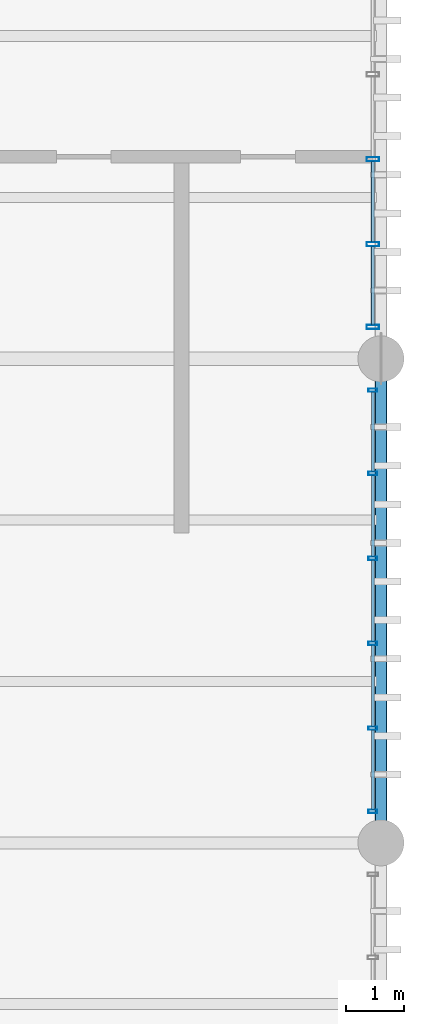
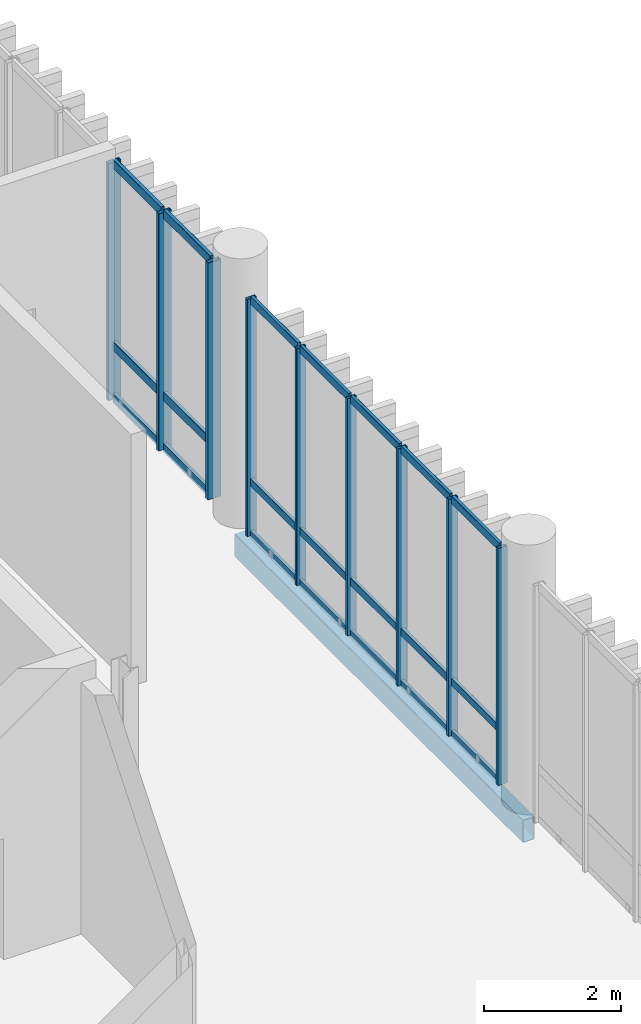
# One storey, part 61 of 94: 30 members, 1 beam, 2 elements without a shape of their own.
"""IFC4 building model written with IfcOpenShell, lengths in metres."""

from ifc_helpers import new_model, si_unit, direction, frame, origin_with_axes, origin_2d_with_axis, place, context, subcontext, project, spatial, hollow_rectangle, extrude, material, material_profile, profile_set, type_object, element, aggregate, save


model = new_model("IFC4")

# Units and contexts
model_context = context("Model", 3, precision=1e-05, world=origin_with_axes(), true_north=direction((0.0, 1.0)))
body_context = subcontext(model_context, "Body", "Model", "MODEL_VIEW")
ifc_project = project(units=[si_unit("LENGTHUNIT", "METRE"), si_unit("AREAUNIT", "SQUARE_METRE"), si_unit("VOLUMEUNIT", "CUBIC_METRE"), si_unit("PLANEANGLEUNIT", "RADIAN"), si_unit("MASSUNIT", "GRAM", prefix="KILO"), si_unit("THERMODYNAMICTEMPERATUREUNIT", "KELVIN")], contexts=[model_context])

# Site, building, storey
site_placement = place(None, origin_with_axes())
site = spatial("IfcSite", under=ifc_project, at=site_placement, CompositionType="ELEMENT")
building_placement = place(site_placement, origin_with_axes())
building = spatial("IfcBuilding", under=site, at=building_placement, Name="Montbau Bow Law Courts", CompositionType="ELEMENT")
storey_placement = place(building_placement, frame((0.0, 0.0, 15.6), z_axis=(0.0, 0.0, 1.0), x_axis=(1.0, 0.0, 0.0)))
storey = spatial("IfcBuildingStorey", under=building, at=storey_placement, Name="L03", CompositionType="ELEMENT", Elevation=15.6)

# Beam
ifc_material_1 = material(Name="Steel CSA G40.21 Grade 350WT (350 MPa)", Category="steel")
ifc_material_profile_1 = material_profile(ifc_material_1, hollow_rectangle(XDim=0.203, YDim=0.406, WallThickness=0.0127, InnerFilletRadius=0.0254, OuterFilletRadius=0.0127, at=origin_2d_with_axis()), Name="HSS406X203X13", Category="Main", Priority=0)
ifc_profile_set_1 = profile_set([ifc_material_profile_1], Name="Steel CSA G40.21 Grade 350WT (350 MPa)")
beam_type = type_object("IfcBeamType", Name="B-SPN-01", PredefinedType="SPANDREL", material=ifc_profile_set_1)
beam_placement = place(None, frame((169.4, 86.4, 15.057), z_axis=(0.0, 1.0, 0.0), x_axis=(-1.0, 0.0, 0.0)))
element("IfcBeam", 1, at=beam_placement, inside=storey, type_object=beam_type, Name="SPN-L03-S1243:bm2_1246", PredefinedType="SPANDREL", context=body_context, shape_type="SweptSolid", body=[
    extrude(hollow_rectangle(XDim=0.203, YDim=0.406, WallThickness=0.0127, InnerFilletRadius=0.0254, OuterFilletRadius=0.0127, at=origin_2d_with_axis()), origin_with_axes(), (0.0, 0.0, 1.0), 8.4),
])

# Curtain wall, members
ifc_material_2 = material(Name="Thermally Broken Extruded Aluminium AA 6063-T6", Category="aluminium")
curtain_wall_type = type_object("IfcCurtainWallType", Name="CW-SLT-01", PredefinedType="NOTDEFINED", material=ifc_material_2)
curtain_wall_1_placement = place(None, frame((169.26, 95.315, 15.6), z_axis=(0.0, 0.0, 1.0), x_axis=(1.0, 0.0, 0.0)))
curtain_wall_1 = element("IfcCurtainWall", 2, at=curtain_wall_1_placement, inside=storey, type_object=curtain_wall_type, Name="CW-L03-324:cw_0324", PredefinedType="NOTDEFINED")
ifc_material_profile_2 = material_profile(ifc_material_2, hollow_rectangle(XDim=0.075, YDim=0.22, WallThickness=0.005, InnerFilletRadius=0.01, OuterFilletRadius=0.005, at=origin_2d_with_axis()), Name="CWM-220X75", Category="Main", Priority=0)
ifc_profile_set_2 = profile_set([ifc_material_profile_2], Name="Thermally Broken Extruded Aluminium AA 6063-T6")
member_type_1 = type_object("IfcMemberType", Name="M-MUL-01", PredefinedType="MULLION", material=ifc_profile_set_2)
member_1_placement = place(None, frame((169.26, 95.352, 15.6), z_axis=(0.0, 0.0, 1.0), x_axis=(0.0, 1.0, 0.0)))
member_1 = element("IfcMember", 3, at=member_1_placement, type_object=member_type_1, Name="CW-L03-324-M01:cw_0324_M01", PredefinedType="MULLION", context=body_context, shape_type="SweptSolid", body=[
    extrude(hollow_rectangle(XDim=0.075, YDim=0.22, WallThickness=0.005, InnerFilletRadius=0.01, OuterFilletRadius=0.005, at=origin_2d_with_axis()), origin_with_axes(), (0.0, 0.0, 1.0), 4.22),
])
member_2_placement = place(None, frame((169.26, 96.789, 15.6), z_axis=(0.0, 0.0, 1.0), x_axis=(0.0, 1.0, 0.0)))
member_2 = element("IfcMember", 4, at=member_2_placement, type_object=member_type_1, Name="CW-L03-324-M02:cw_0324_M02", PredefinedType="MULLION", context=body_context, shape_type="SweptSolid", body=[
    extrude(hollow_rectangle(XDim=0.075, YDim=0.22, WallThickness=0.005, InnerFilletRadius=0.01, OuterFilletRadius=0.005, at=origin_2d_with_axis()), origin_with_axes(), (0.0, 0.0, 1.0), 4.22),
])
member_3_placement = place(None, frame((169.26, 98.263, 15.6), z_axis=(0.0, 0.0, 1.0), x_axis=(0.0, 1.0, 0.0)))
member_3 = element("IfcMember", 5, at=member_3_placement, type_object=member_type_1, Name="CW-L03-324-M03:cw_0324_M03", PredefinedType="MULLION", context=body_context, shape_type="SweptSolid", body=[
    extrude(hollow_rectangle(XDim=0.075, YDim=0.22, WallThickness=0.005, InnerFilletRadius=0.01, OuterFilletRadius=0.005, at=origin_2d_with_axis()), origin_with_axes(), (0.0, 0.0, 1.0), 4.22),
])

curtain_wall_2_placement = place(None, frame((169.26, 86.915, 15.6), z_axis=(0.0, 0.0, 1.0), x_axis=(1.0, 0.0, 0.0)))
curtain_wall_2 = element("IfcCurtainWall", 6, at=curtain_wall_2_placement, inside=storey, type_object=curtain_wall_type, Name="CW-L03-323:cw_0323", PredefinedType="NOTDEFINED")
ifc_material_profile_3 = material_profile(ifc_material_2, hollow_rectangle(XDim=0.06, YDim=0.16, WallThickness=0.004, InnerFilletRadius=0.008, OuterFilletRadius=0.004, at=origin_2d_with_axis()), Name="CWM-160X60", Category="Main", Priority=0)
ifc_profile_set_3 = profile_set([ifc_material_profile_3], Name="Thermally Broken Extruded Aluminium AA 6063-T6")
member_type_2 = type_object("IfcMemberType", Name="M-MUL-03", PredefinedType="MULLION", material=ifc_profile_set_3)
member_4_placement = place(None, frame((169.26, 86.945, 15.6), z_axis=(0.0, 0.0, 1.0), x_axis=(0.0, 1.0, 0.0)))
member_4 = element("IfcMember", 7, at=member_4_placement, type_object=member_type_2, Name="CW-L03-323-M01:cw_0323_M01", PredefinedType="MULLION", context=body_context, shape_type="SweptSolid", body=[
    extrude(hollow_rectangle(XDim=0.06, YDim=0.16, WallThickness=0.004, InnerFilletRadius=0.008, OuterFilletRadius=0.004, at=origin_2d_with_axis()), origin_with_axes(), (0.0, 0.0, 1.0), 4.22),
])
member_5_placement = place(None, frame((169.26, 88.389, 15.6), z_axis=(0.0, 0.0, 1.0), x_axis=(0.0, 1.0, 0.0)))
member_5 = element("IfcMember", 8, at=member_5_placement, type_object=member_type_2, Name="CW-L03-323-M02:cw_0323_M02", PredefinedType="MULLION", context=body_context, shape_type="SweptSolid", body=[
    extrude(hollow_rectangle(XDim=0.06, YDim=0.16, WallThickness=0.004, InnerFilletRadius=0.008, OuterFilletRadius=0.004, at=origin_2d_with_axis()), origin_with_axes(), (0.0, 0.0, 1.0), 4.22),
])
member_6_placement = place(None, frame((169.26, 89.863, 15.6), z_axis=(0.0, 0.0, 1.0), x_axis=(0.0, 1.0, 0.0)))
member_6 = element("IfcMember", 9, at=member_6_placement, type_object=member_type_2, Name="CW-L03-323-M03:cw_0323_M03", PredefinedType="MULLION", context=body_context, shape_type="SweptSolid", body=[
    extrude(hollow_rectangle(XDim=0.06, YDim=0.16, WallThickness=0.004, InnerFilletRadius=0.008, OuterFilletRadius=0.004, at=origin_2d_with_axis()), origin_with_axes(), (0.0, 0.0, 1.0), 4.22),
])
member_7_placement = place(None, frame((169.26, 91.337, 15.6), z_axis=(0.0, 0.0, 1.0), x_axis=(0.0, 1.0, 0.0)))
member_7 = element("IfcMember", 10, at=member_7_placement, type_object=member_type_2, Name="CW-L03-323-M04:cw_0323_M04", PredefinedType="MULLION", context=body_context, shape_type="SweptSolid", body=[
    extrude(hollow_rectangle(XDim=0.06, YDim=0.16, WallThickness=0.004, InnerFilletRadius=0.008, OuterFilletRadius=0.004, at=origin_2d_with_axis()), origin_with_axes(), (0.0, 0.0, 1.0), 4.22),
])
member_8_placement = place(None, frame((169.26, 92.811, 15.6), z_axis=(0.0, 0.0, 1.0), x_axis=(0.0, 1.0, 0.0)))
member_8 = element("IfcMember", 11, at=member_8_placement, type_object=member_type_2, Name="CW-L03-323-M05:cw_0323_M05", PredefinedType="MULLION", context=body_context, shape_type="SweptSolid", body=[
    extrude(hollow_rectangle(XDim=0.06, YDim=0.16, WallThickness=0.004, InnerFilletRadius=0.008, OuterFilletRadius=0.004, at=origin_2d_with_axis()), origin_with_axes(), (0.0, 0.0, 1.0), 4.22),
])
member_9_placement = place(None, frame((169.26, 94.255, 15.6), z_axis=(0.0, 0.0, 1.0), x_axis=(0.0, 1.0, 0.0)))
member_9 = element("IfcMember", 12, at=member_9_placement, type_object=member_type_2, Name="CW-L03-323-M06:cw_0323_M06", PredefinedType="MULLION", context=body_context, shape_type="SweptSolid", body=[
    extrude(hollow_rectangle(XDim=0.06, YDim=0.16, WallThickness=0.004, InnerFilletRadius=0.008, OuterFilletRadius=0.004, at=origin_2d_with_axis()), origin_with_axes(), (0.0, 0.0, 1.0), 4.22),
])

# Member
ifc_material_profile_4 = material_profile(ifc_material_2, hollow_rectangle(XDim=0.06, YDim=0.16, WallThickness=0.004, InnerFilletRadius=0.008, OuterFilletRadius=0.004, at=origin_2d_with_axis()), Name="CWT-160X60", Category="Main", Priority=0)
ifc_profile_set_4 = profile_set([ifc_material_profile_4], Name="Thermally Broken Extruded Aluminium AA 6063-T6")
member_type_3 = type_object("IfcMemberType", Name="M-TRN-01", PredefinedType="USERDEFINED", material=ifc_profile_set_4)
member_10_placement = place(None, frame((169.26, 95.391, 15.63), z_axis=(0.0, 1.0, 0.0), x_axis=(-1.0, 0.0, 0.0)))
member_10 = element("IfcMember", 13, at=member_10_placement, type_object=member_type_3, Name="CW-L03-324-T01-1:cw_0324_T01_1", ObjectType="TRANSOM", PredefinedType="USERDEFINED", context=body_context, shape_type="SweptSolid", body=[
    extrude(hollow_rectangle(XDim=0.06, YDim=0.16, WallThickness=0.004, InnerFilletRadius=0.008, OuterFilletRadius=0.004, at=origin_2d_with_axis()), origin_with_axes(), (0.0, 0.0, 1.0), 1.358),
])

member_11_placement = place(None, frame((169.26, 95.391, 16.55), z_axis=(0.0, 1.0, 0.0), x_axis=(-1.0, 0.0, 0.0)))
member_11 = element("IfcMember", 14, at=member_11_placement, type_object=member_type_3, Name="CW-L03-324-T01-2:cw_0324_T01_2", ObjectType="TRANSOM", PredefinedType="USERDEFINED", context=body_context, shape_type="SweptSolid", body=[
    extrude(hollow_rectangle(XDim=0.06, YDim=0.16, WallThickness=0.004, InnerFilletRadius=0.008, OuterFilletRadius=0.004, at=origin_2d_with_axis()), origin_with_axes(), (0.0, 0.0, 1.0), 1.358),
])

member_12_placement = place(None, frame((169.26, 95.391, 19.79), z_axis=(0.0, 1.0, 0.0), x_axis=(-1.0, 0.0, 0.0)))
member_12 = element("IfcMember", 15, at=member_12_placement, type_object=member_type_3, Name="CW-L03-324-T01-3:cw_0324_T01_3", ObjectType="TRANSOM", PredefinedType="USERDEFINED", context=body_context, shape_type="SweptSolid", body=[
    extrude(hollow_rectangle(XDim=0.06, YDim=0.16, WallThickness=0.004, InnerFilletRadius=0.008, OuterFilletRadius=0.004, at=origin_2d_with_axis()), origin_with_axes(), (0.0, 0.0, 1.0), 1.358),
])

member_13_placement = place(None, frame((169.26, 96.829, 15.63), z_axis=(0.0, 1.0, 0.0), x_axis=(-1.0, 0.0, 0.0)))
member_13 = element("IfcMember", 16, at=member_13_placement, type_object=member_type_3, Name="CW-L03-324-T02-1:cw_0324_T02_1", ObjectType="TRANSOM", PredefinedType="USERDEFINED", context=body_context, shape_type="SweptSolid", body=[
    extrude(hollow_rectangle(XDim=0.06, YDim=0.16, WallThickness=0.004, InnerFilletRadius=0.008, OuterFilletRadius=0.004, at=origin_2d_with_axis()), origin_with_axes(), (0.0, 0.0, 1.0), 1.395),
])

member_14_placement = place(None, frame((169.26, 96.829, 16.55), z_axis=(0.0, 1.0, 0.0), x_axis=(-1.0, 0.0, 0.0)))
member_14 = element("IfcMember", 17, at=member_14_placement, type_object=member_type_3, Name="CW-L03-324-T02-2:cw_0324_T02_2", ObjectType="TRANSOM", PredefinedType="USERDEFINED", context=body_context, shape_type="SweptSolid", body=[
    extrude(hollow_rectangle(XDim=0.06, YDim=0.16, WallThickness=0.004, InnerFilletRadius=0.008, OuterFilletRadius=0.004, at=origin_2d_with_axis()), origin_with_axes(), (0.0, 0.0, 1.0), 1.395),
])

member_15_placement = place(None, frame((169.26, 96.829, 19.79), z_axis=(0.0, 1.0, 0.0), x_axis=(-1.0, 0.0, 0.0)))
member_15 = element("IfcMember", 18, at=member_15_placement, type_object=member_type_3, Name="CW-L03-324-T02-3:cw_0324_T02_3", ObjectType="TRANSOM", PredefinedType="USERDEFINED", context=body_context, shape_type="SweptSolid", body=[
    extrude(hollow_rectangle(XDim=0.06, YDim=0.16, WallThickness=0.004, InnerFilletRadius=0.008, OuterFilletRadius=0.004, at=origin_2d_with_axis()), origin_with_axes(), (0.0, 0.0, 1.0), 1.395),
])

aggregate(curtain_wall_1, [member_1, member_2, member_3, member_10, member_11, member_12, member_13, member_14, member_15])

ifc_material_profile_5 = material_profile(ifc_material_2, hollow_rectangle(XDim=0.055, YDim=0.14, WallThickness=0.004, InnerFilletRadius=0.008, OuterFilletRadius=0.004, at=origin_2d_with_axis()), Name="CWT-140X55", Category="Main", Priority=0)
ifc_profile_set_5 = profile_set([ifc_material_profile_5], Name="Thermally Broken Extruded Aluminium AA 6063-T6")
member_type_4 = type_object("IfcMemberType", Name="M-TRN-02", PredefinedType="USERDEFINED", material=ifc_profile_set_5)
member_16_placement = place(None, frame((169.26, 86.977, 15.627), z_axis=(0.0, 1.0, 0.0), x_axis=(-1.0, 0.0, 0.0)))
member_16 = element("IfcMember", 19, at=member_16_placement, type_object=member_type_4, Name="CW-L03-323-T01-1:cw_0323_T01_1", ObjectType="TRANSOM", PredefinedType="USERDEFINED", context=body_context, shape_type="SweptSolid", body=[
    extrude(hollow_rectangle(XDim=0.055, YDim=0.14, WallThickness=0.004, InnerFilletRadius=0.008, OuterFilletRadius=0.004, at=origin_2d_with_axis()), origin_with_axes(), (0.0, 0.0, 1.0), 1.38),
])

member_17_placement = place(None, frame((169.26, 86.977, 16.55), z_axis=(0.0, 1.0, 0.0), x_axis=(-1.0, 0.0, 0.0)))
member_17 = element("IfcMember", 20, at=member_17_placement, type_object=member_type_4, Name="CW-L03-323-T01-2:cw_0323_T01_2", ObjectType="TRANSOM", PredefinedType="USERDEFINED", context=body_context, shape_type="SweptSolid", body=[
    extrude(hollow_rectangle(XDim=0.055, YDim=0.14, WallThickness=0.004, InnerFilletRadius=0.008, OuterFilletRadius=0.004, at=origin_2d_with_axis()), origin_with_axes(), (0.0, 0.0, 1.0), 1.38),
])

member_18_placement = place(None, frame((169.26, 86.977, 19.793), z_axis=(0.0, 1.0, 0.0), x_axis=(-1.0, 0.0, 0.0)))
member_18 = element("IfcMember", 21, at=member_18_placement, type_object=member_type_4, Name="CW-L03-323-T01-3:cw_0323_T01_3", ObjectType="TRANSOM", PredefinedType="USERDEFINED", context=body_context, shape_type="SweptSolid", body=[
    extrude(hollow_rectangle(XDim=0.055, YDim=0.14, WallThickness=0.004, InnerFilletRadius=0.008, OuterFilletRadius=0.004, at=origin_2d_with_axis()), origin_with_axes(), (0.0, 0.0, 1.0), 1.38),
])

member_19_placement = place(None, frame((169.26, 88.421, 15.627), z_axis=(0.0, 1.0, 0.0), x_axis=(-1.0, 0.0, 0.0)))
member_19 = element("IfcMember", 22, at=member_19_placement, type_object=member_type_4, Name="CW-L03-323-T02-1:cw_0323_T02_1", ObjectType="TRANSOM", PredefinedType="USERDEFINED", context=body_context, shape_type="SweptSolid", body=[
    extrude(hollow_rectangle(XDim=0.055, YDim=0.14, WallThickness=0.004, InnerFilletRadius=0.008, OuterFilletRadius=0.004, at=origin_2d_with_axis()), origin_with_axes(), (0.0, 0.0, 1.0), 1.41),
])

member_20_placement = place(None, frame((169.26, 88.421, 16.55), z_axis=(0.0, 1.0, 0.0), x_axis=(-1.0, 0.0, 0.0)))
member_20 = element("IfcMember", 23, at=member_20_placement, type_object=member_type_4, Name="CW-L03-323-T02-2:cw_0323_T02_2", ObjectType="TRANSOM", PredefinedType="USERDEFINED", context=body_context, shape_type="SweptSolid", body=[
    extrude(hollow_rectangle(XDim=0.055, YDim=0.14, WallThickness=0.004, InnerFilletRadius=0.008, OuterFilletRadius=0.004, at=origin_2d_with_axis()), origin_with_axes(), (0.0, 0.0, 1.0), 1.41),
])

member_21_placement = place(None, frame((169.26, 88.421, 19.793), z_axis=(0.0, 1.0, 0.0), x_axis=(-1.0, 0.0, 0.0)))
member_21 = element("IfcMember", 24, at=member_21_placement, type_object=member_type_4, Name="CW-L03-323-T02-3:cw_0323_T02_3", ObjectType="TRANSOM", PredefinedType="USERDEFINED", context=body_context, shape_type="SweptSolid", body=[
    extrude(hollow_rectangle(XDim=0.055, YDim=0.14, WallThickness=0.004, InnerFilletRadius=0.008, OuterFilletRadius=0.004, at=origin_2d_with_axis()), origin_with_axes(), (0.0, 0.0, 1.0), 1.41),
])

member_22_placement = place(None, frame((169.26, 89.895, 15.627), z_axis=(0.0, 1.0, 0.0), x_axis=(-1.0, 0.0, 0.0)))
member_22 = element("IfcMember", 25, at=member_22_placement, type_object=member_type_4, Name="CW-L03-323-T03-1:cw_0323_T03_1", ObjectType="TRANSOM", PredefinedType="USERDEFINED", context=body_context, shape_type="SweptSolid", body=[
    extrude(hollow_rectangle(XDim=0.055, YDim=0.14, WallThickness=0.004, InnerFilletRadius=0.008, OuterFilletRadius=0.004, at=origin_2d_with_axis()), origin_with_axes(), (0.0, 0.0, 1.0), 1.41),
])

member_23_placement = place(None, frame((169.26, 89.895, 16.55), z_axis=(0.0, 1.0, 0.0), x_axis=(-1.0, 0.0, 0.0)))
member_23 = element("IfcMember", 26, at=member_23_placement, type_object=member_type_4, Name="CW-L03-323-T03-2:cw_0323_T03_2", ObjectType="TRANSOM", PredefinedType="USERDEFINED", context=body_context, shape_type="SweptSolid", body=[
    extrude(hollow_rectangle(XDim=0.055, YDim=0.14, WallThickness=0.004, InnerFilletRadius=0.008, OuterFilletRadius=0.004, at=origin_2d_with_axis()), origin_with_axes(), (0.0, 0.0, 1.0), 1.41),
])

member_24_placement = place(None, frame((169.26, 89.895, 19.793), z_axis=(0.0, 1.0, 0.0), x_axis=(-1.0, 0.0, 0.0)))
member_24 = element("IfcMember", 27, at=member_24_placement, type_object=member_type_4, Name="CW-L03-323-T03-3:cw_0323_T03_3", ObjectType="TRANSOM", PredefinedType="USERDEFINED", context=body_context, shape_type="SweptSolid", body=[
    extrude(hollow_rectangle(XDim=0.055, YDim=0.14, WallThickness=0.004, InnerFilletRadius=0.008, OuterFilletRadius=0.004, at=origin_2d_with_axis()), origin_with_axes(), (0.0, 0.0, 1.0), 1.41),
])

member_25_placement = place(None, frame((169.26, 91.369, 15.627), z_axis=(0.0, 1.0, 0.0), x_axis=(-1.0, 0.0, 0.0)))
member_25 = element("IfcMember", 28, at=member_25_placement, type_object=member_type_4, Name="CW-L03-323-T04-1:cw_0323_T04_1", ObjectType="TRANSOM", PredefinedType="USERDEFINED", context=body_context, shape_type="SweptSolid", body=[
    extrude(hollow_rectangle(XDim=0.055, YDim=0.14, WallThickness=0.004, InnerFilletRadius=0.008, OuterFilletRadius=0.004, at=origin_2d_with_axis()), origin_with_axes(), (0.0, 0.0, 1.0), 1.41),
])

member_26_placement = place(None, frame((169.26, 91.369, 16.55), z_axis=(0.0, 1.0, 0.0), x_axis=(-1.0, 0.0, 0.0)))
member_26 = element("IfcMember", 29, at=member_26_placement, type_object=member_type_4, Name="CW-L03-323-T04-2:cw_0323_T04_2", ObjectType="TRANSOM", PredefinedType="USERDEFINED", context=body_context, shape_type="SweptSolid", body=[
    extrude(hollow_rectangle(XDim=0.055, YDim=0.14, WallThickness=0.004, InnerFilletRadius=0.008, OuterFilletRadius=0.004, at=origin_2d_with_axis()), origin_with_axes(), (0.0, 0.0, 1.0), 1.41),
])

member_27_placement = place(None, frame((169.26, 91.369, 19.793), z_axis=(0.0, 1.0, 0.0), x_axis=(-1.0, 0.0, 0.0)))
member_27 = element("IfcMember", 30, at=member_27_placement, type_object=member_type_4, Name="CW-L03-323-T04-3:cw_0323_T04_3", ObjectType="TRANSOM", PredefinedType="USERDEFINED", context=body_context, shape_type="SweptSolid", body=[
    extrude(hollow_rectangle(XDim=0.055, YDim=0.14, WallThickness=0.004, InnerFilletRadius=0.008, OuterFilletRadius=0.004, at=origin_2d_with_axis()), origin_with_axes(), (0.0, 0.0, 1.0), 1.41),
])

member_28_placement = place(None, frame((169.26, 92.843, 15.627), z_axis=(0.0, 1.0, 0.0), x_axis=(-1.0, 0.0, 0.0)))
member_28 = element("IfcMember", 31, at=member_28_placement, type_object=member_type_4, Name="CW-L03-323-T05-1:cw_0323_T05_1", ObjectType="TRANSOM", PredefinedType="USERDEFINED", context=body_context, shape_type="SweptSolid", body=[
    extrude(hollow_rectangle(XDim=0.055, YDim=0.14, WallThickness=0.004, InnerFilletRadius=0.008, OuterFilletRadius=0.004, at=origin_2d_with_axis()), origin_with_axes(), (0.0, 0.0, 1.0), 1.38),
])

member_29_placement = place(None, frame((169.26, 92.843, 16.55), z_axis=(0.0, 1.0, 0.0), x_axis=(-1.0, 0.0, 0.0)))
member_29 = element("IfcMember", 32, at=member_29_placement, type_object=member_type_4, Name="CW-L03-323-T05-2:cw_0323_T05_2", ObjectType="TRANSOM", PredefinedType="USERDEFINED", context=body_context, shape_type="SweptSolid", body=[
    extrude(hollow_rectangle(XDim=0.055, YDim=0.14, WallThickness=0.004, InnerFilletRadius=0.008, OuterFilletRadius=0.004, at=origin_2d_with_axis()), origin_with_axes(), (0.0, 0.0, 1.0), 1.38),
])

member_30_placement = place(None, frame((169.26, 92.843, 19.793), z_axis=(0.0, 1.0, 0.0), x_axis=(-1.0, 0.0, 0.0)))
member_30 = element("IfcMember", 33, at=member_30_placement, type_object=member_type_4, Name="CW-L03-323-T05-3:cw_0323_T05_3", ObjectType="TRANSOM", PredefinedType="USERDEFINED", context=body_context, shape_type="SweptSolid", body=[
    extrude(hollow_rectangle(XDim=0.055, YDim=0.14, WallThickness=0.004, InnerFilletRadius=0.008, OuterFilletRadius=0.004, at=origin_2d_with_axis()), origin_with_axes(), (0.0, 0.0, 1.0), 1.38),
])

aggregate(curtain_wall_2, [member_4, member_5, member_6, member_7, member_8, member_9, member_16, member_17, member_18, member_19, member_20, member_21, member_22, member_23, member_24, member_25, member_26, member_27, member_28, member_29, member_30])

save(model, "model.ifc")
